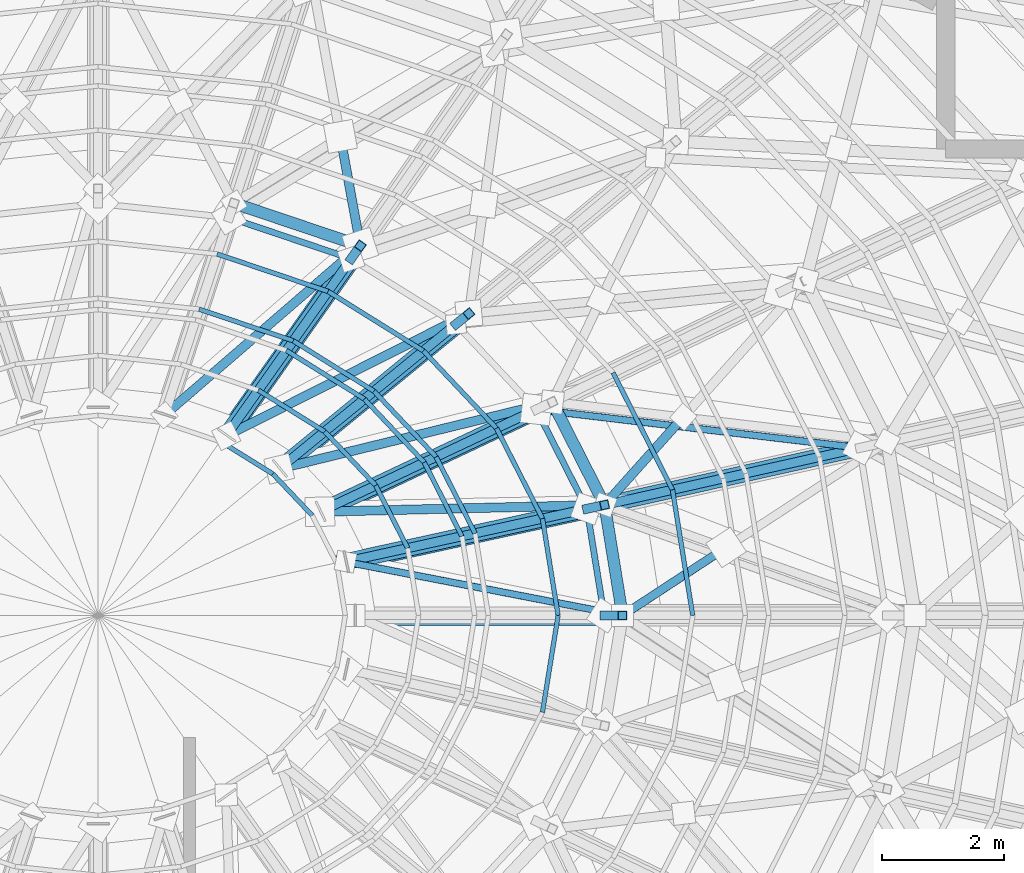
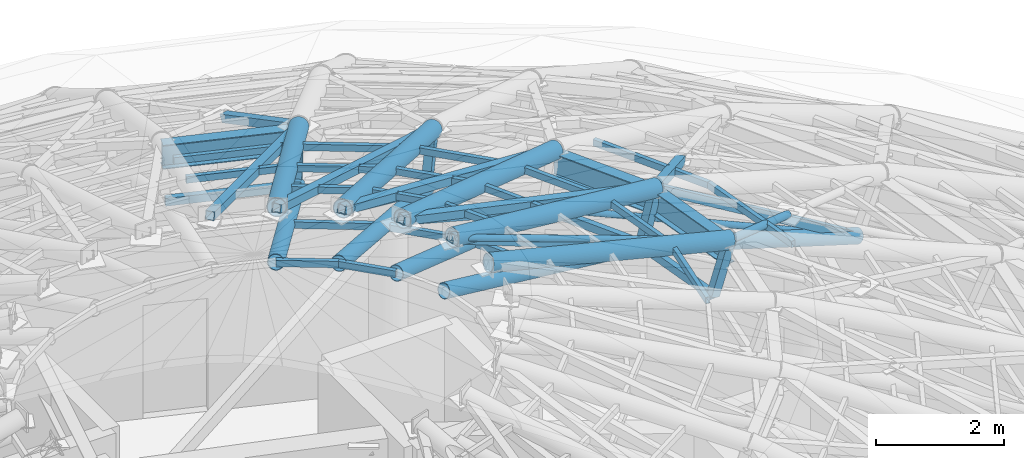
# One storey, part 21 of 50: 51 members, 3 beams.
"""IFC4 building model written with IfcOpenShell, lengths in metres."""

from ifc_helpers import new_model, si_unit, direction, frame, origin, origin_2d, place, context, subcontext, project, spatial, hollow_rectangle, hollow_circle, i_section, extrude, material, material_profile, profile_set, type_object, element, save


model = new_model("IFC4")

# Units and contexts
model_context = context("Model", 3, precision=1e-05, world=origin(), true_north=direction((0.0, 1.0)))
body_context = subcontext(model_context, "Body", "Model", "MODEL_VIEW")
ifc_project = project(units=[si_unit("LENGTHUNIT", "METRE"), si_unit("AREAUNIT", "SQUARE_METRE"), si_unit("VOLUMEUNIT", "CUBIC_METRE"), si_unit("PLANEANGLEUNIT", "RADIAN"), si_unit("MASSUNIT", "GRAM", prefix="KILO")], contexts=[model_context])

# Site, building, storey
site_placement = place(None, origin())
site = spatial("IfcSite", under=ifc_project, at=site_placement, CompositionType="ELEMENT")
building_placement = place(site_placement, origin())
building = spatial("IfcBuilding", under=site, at=building_placement, Name="Cinderbank Siding Concert Hall", CompositionType="ELEMENT")
storey_placement = place(building_placement, frame((0.0, 0.0, 23.699951171875)))
storey = spatial("IfcBuildingStorey", under=building, at=storey_placement, Name="L06", CompositionType="ELEMENT", Elevation=23.699951171875)

# Beams
ifc_material_1 = material(Name="Structural steel AS/NZS 3679.1 Grade 350 (340 MPa)", Category="steel")
ifc_material_profile_1 = material_profile(ifc_material_1, i_section(OverallWidth=0.19091796875, OverallDepth=0.46044921875, WebThickness=0.010009765625, FlangeThickness=0.01611328125, at=origin_2d()), Name="460UB82.1", Category="LoadBearing")
ifc_profile_set_1 = profile_set([ifc_material_profile_1], Name="Structural steel AS/NZS 3679.1 Grade 350 (340 MPa)")
beam_type = type_object("IfcBeamType", Name="BM-UB460H 460UB82.1", PredefinedType="BEAM", material=ifc_profile_set_1)
beam_1_placement = place(storey_placement, frame((130.60009765625, 44.0, 15.769775390625), z_axis=(-0.159759377385, 0.987155986325, 0.0), x_axis=(-0.987155986325, -0.159759377385, 0.0)))
element("IfcBeam", 1, at=beam_1_placement, inside=storey, type_object=beam_type, Name="L06 Beam BM-UB460H #2094", PredefinedType="BEAM", context=body_context, shape_type="SweptSolid", body=[
    extrude(i_section(OverallWidth=0.19091796875, OverallDepth=0.46044921875, WebThickness=0.010009765625, FlangeThickness=0.01611328125, at=origin_2d()), origin(), (0.0, 0.0, 1.0), 1.83544921875),
])
beam_2_placement = place(storey_placement, frame((130.306884765625, 45.811767578125, 15.769775390625), z_axis=(-0.453543458503, 0.89123416185, 0.0), x_axis=(-0.89123416185, -0.453543458503, 0.0)))
element("IfcBeam", 2, at=beam_2_placement, inside=storey, type_object=beam_type, Name="L06 Beam BM-UB460H #2095", PredefinedType="BEAM", context=body_context, shape_type="SweptSolid", body=[
    extrude(i_section(OverallWidth=0.19091796875, OverallDepth=0.46044921875, WebThickness=0.010009765625, FlangeThickness=0.01611328125, at=origin_2d()), origin(), (0.0, 0.0, 1.0), 1.894287109375),
])
beam_3_placement = place(storey_placement, frame((126.300048828125, 50.062255859375, 15.769775390625), z_axis=(-0.947607117252, 0.319438180769, 0.0), x_axis=(-0.319438180769, -0.947607117252, 0.0)))
element("IfcBeam", 3, at=beam_3_placement, inside=storey, type_object=beam_type, Name="L06 Beam BM-UB460H #2096", PredefinedType="BEAM", context=body_context, shape_type="SweptSolid", body=[
    extrude(i_section(OverallWidth=0.19091796875, OverallDepth=0.46044921875, WebThickness=0.010009765625, FlangeThickness=0.01611328125, at=origin_2d()), origin(), (0.0, 0.0, 1.0), 2.18896484375),
])

# Members
ifc_material_2 = material(Name="Structural steel hollow section AS/NZS 1163 Grade C350L0 (350 MPa)", Category="steel")
ifc_material_profile_2 = material_profile(ifc_material_2, hollow_circle(Radius=0.05712890625, WallThickness=0.006103515625, at=origin_2d()), Name="114.3x6.0CHS", Category="LoadBearing")
ifc_profile_set_2 = profile_set([ifc_material_profile_2], Name="Structural steel hollow section AS/NZS 1163 Grade C350L0 (350 MPa)")
member_type_1 = type_object("IfcMemberType", Name="BR-CHS114 114.3x6.0CHS Roof Truss", PredefinedType="BRACE", material=ifc_profile_set_2)
member_1_placement = place(storey_placement, frame((134.490478515625, 46.747314453125, 13.050048828125), z_axis=(-0.929948888176, 0.110491096091, 0.350694714908), x_axis=(-0.117984297951, -0.993015460825, 0.0)))
element("IfcMember", 4, at=member_1_placement, inside=storey, type_object=member_type_1, Name="L06 Diagonal Brace BR-CHS114 #DBRI-BR-CHS114-L06-1415", PredefinedType="BRACE", context=body_context, shape_type="SweptSolid", body=[
    extrude(hollow_circle(Radius=0.05712890625, WallThickness=0.006103515625, at=origin_2d()), origin(), (0.0, 0.0, 1.0), 5.702880859375),
])
member_2_placement = place(storey_placement, frame((130.60009765625, 44.0, 16.0), z_axis=(-0.955139820182, 0.184981670801, 0.231278415269), x_axis=(-0.190136732743, -0.981757619202, 0.0)))
element("IfcMember", 5, at=member_2_placement, inside=storey, type_object=member_type_1, Name="L06 Diagonal Brace BR-CHS114 #DBRO-BR-CHS114-L06-1689", PredefinedType="BRACE", context=body_context, shape_type="SweptSolid", body=[
    extrude(hollow_circle(Radius=0.05712890625, WallThickness=0.006103515625, at=origin_2d()), origin(), (0.0, 0.0, 1.0), 4.756591796875),
])
ifc_material_profile_3 = material_profile(ifc_material_2, hollow_circle(Radius=0.06982421875, WallThickness=0.00634765625, at=origin_2d()), Name="139.7x6.4CHS", Category="LoadBearing")
ifc_profile_set_3 = profile_set([ifc_material_profile_3], Name="Structural steel hollow section AS/NZS 1163 Grade C350L0 (350 MPa)")
member_type_2 = type_object("IfcMemberType", Name="BR-CHS139 139.7x6.4CHS Roof Truss", PredefinedType="BRACE", material=ifc_profile_set_3)
member_3_placement = place(storey_placement, frame((132.277099609375, 45.09912109375, 15.227783203125), z_axis=(-0.780488897284, -0.511538945345, 0.359395309668), x_axis=(0.548164318998, -0.836370659084, 0.0)))
element("IfcMember", 6, at=member_3_placement, inside=storey, type_object=member_type_2, Name="L06 Diagonal Brace BR-CHS139 #DBRO-BR-CHS139-L06-1402-S129", PredefinedType="BRACE", context=body_context, shape_type="SweptSolid", body=[
    extrude(hollow_circle(Radius=0.06982421875, WallThickness=0.00634765625, at=origin_2d()), origin(), (0.0, 0.0, 1.0), 2.148681640625),
])
ifc_material_profile_4 = material_profile(ifc_material_2, hollow_rectangle(XDim=0.14990234375, YDim=0.14990234375, WallThickness=0.008056640625, at=origin_2d()), Name="150x150x8.0SHS", Category="LoadBearing")
ifc_profile_set_4 = profile_set([ifc_material_profile_4], Name="Structural steel hollow section AS/NZS 1163 Grade C350L0 (350 MPa)")
member_type_3 = type_object("IfcMemberType", Name="BR-SHS150 150x150x8.0SHS Roof Truss", PredefinedType="BRACE", material=ifc_profile_set_4)
member_4_placement = place(storey_placement, frame((134.490478515625, 46.747314453125, 13.050048828125), z_axis=(-0.803944085996, -0.179780213442, 0.566880041497), x_axis=(0.218232746795, -0.975896750802, 0.0)))
element("IfcMember", 7, at=member_4_placement, inside=storey, type_object=member_type_3, Name="L06 Diagonal Brace BR-SHS150 #DWBD-BR-SHS150-L06-1406", PredefinedType="BRACE", context=body_context, shape_type="SweptSolid", body=[
    extrude(hollow_rectangle(XDim=0.14990234375, YDim=0.14990234375, WallThickness=0.008056640625, at=origin_2d()), origin(), (0.0, 0.0, 1.0), 5.203857421875),
])
member_5_placement = place(storey_placement, frame((131.580078125, 47.235595703125, 15.22802734375), z_axis=(-0.61800772602, -0.691125802138, 0.374715326879), x_axis=(0.745438514971, -0.666574392245, 0.0)))
element("IfcMember", 8, at=member_5_placement, inside=storey, type_object=member_type_3, Name="L06 Diagonal Brace BR-SHS150 #DBRO-BR-SHS150-L06-1414-S130", PredefinedType="BRACE", context=body_context, shape_type="SweptSolid", body=[
    extrude(hollow_rectangle(XDim=0.14990234375, YDim=0.14990234375, WallThickness=0.008056640625, at=origin_2d()), origin(), (0.0, 0.0, 1.0), 2.06005859375),
])
member_6_placement = place(storey_placement, frame((125.977783203125, 51.82958984375, 15.225341796875), z_axis=(0.164725535954, -0.903369814222, 0.395965246654), x_axis=(0.983778457239, 0.17938770045, 0.0)))
element("IfcMember", 9, at=member_6_placement, inside=storey, type_object=member_type_3, Name="L06 Diagonal Brace BR-SHS150 #DBRO-BR-SHS150-L06-1450-S133", PredefinedType="BRACE", context=body_context, shape_type="SweptSolid", body=[
    extrude(hollow_rectangle(XDim=0.14990234375, YDim=0.14990234375, WallThickness=0.008056640625, at=origin_2d()), origin(), (0.0, 0.0, 1.0), 1.956298828125),
])
member_7_placement = place(storey_placement, frame((130.299072265625, 44.0, 15.050048828125), z_axis=(0.302080966604, 0.0, 0.953282271741), x_axis=(0.0, 1.0, 0.0)))
element("IfcMember", 10, at=member_7_placement, inside=storey, type_object=member_type_3, Name="L06 Diagonal Brace BR-SHS150 #DWBV-BR-SHS150-L06-1685", PredefinedType="BRACE", context=body_context, shape_type="SweptSolid", body=[
    extrude(hollow_rectangle(XDim=0.14990234375, YDim=0.14990234375, WallThickness=0.008056640625, at=origin_2d()), origin(), (0.0, 0.0, 1.0), 0.99658203125),
])
member_8_placement = place(storey_placement, frame((130.01611328125, 45.748291015625, 15.050048828125), z_axis=(-0.871638691427, -0.191183253709, 0.451325774922), x_axis=(0.214244713717, -0.976780017529, 0.0)))
element("IfcMember", 11, at=member_8_placement, inside=storey, type_object=member_type_3, Name="L06 Diagonal Brace BR-SHS150 #DWBD-BR-SHS150-L06-1692", PredefinedType="BRACE", context=body_context, shape_type="SweptSolid", body=[
    extrude(hollow_rectangle(XDim=0.14990234375, YDim=0.14990234375, WallThickness=0.008056640625, at=origin_2d()), origin(), (0.0, 0.0, 1.0), 4.542236328125),
])
member_9_placement = place(storey_placement, frame((130.01611328125, 45.748291015625, 15.050048828125), z_axis=(0.292091130576, 0.063764646473, 0.954262459337), x_axis=(-0.213280969958, 0.976990904693, 0.0)))
element("IfcMember", 12, at=member_9_placement, inside=storey, type_object=member_type_3, Name="L06 Diagonal Brace BR-SHS150 #DWBV-BR-SHS150-L06-1695", PredefinedType="BRACE", context=body_context, shape_type="SweptSolid", body=[
    extrude(hollow_rectangle(XDim=0.14990234375, YDim=0.14990234375, WallThickness=0.008056640625, at=origin_2d()), origin(), (0.0, 0.0, 1.0), 0.995361328125),
])
member_10_placement = place(storey_placement, frame((130.306884765625, 45.811767578125, 16.0), z_axis=(-0.973090129252, -0.023300845883, 0.229243693335), x_axis=(0.023938346527, -0.999713436724, 0.0)))
element("IfcMember", 13, at=member_10_placement, inside=storey, type_object=member_type_3, Name="L06 Diagonal Brace BR-SHS150 #DBRO-BR-SHS150-L06-1699", PredefinedType="BRACE", context=body_context, shape_type="SweptSolid", body=[
    extrude(hollow_rectangle(XDim=0.14990234375, YDim=0.14990234375, WallThickness=0.008056640625, at=origin_2d()), origin(), (0.0, 0.0, 1.0), 4.798828125),
])
member_11_placement = place(storey_placement, frame((129.18701171875, 47.37744140625, 15.050048828125), z_axis=(-0.801455569163, -0.378734609059, 0.462848859303), x_axis=(0.427254861709, -0.904131231153, 0.0)))
element("IfcMember", 14, at=member_11_placement, inside=storey, type_object=member_type_3, Name="L06 Diagonal Brace BR-SHS150 #DWBD-BR-SHS150-L06-1702", PredefinedType="BRACE", context=body_context, shape_type="SweptSolid", body=[
    extrude(hollow_rectangle(XDim=0.14990234375, YDim=0.14990234375, WallThickness=0.008056640625, at=origin_2d()), origin(), (0.0, 0.0, 1.0), 4.42919921875),
])
member_12_placement = place(storey_placement, frame((129.44775390625, 47.5, 16.0), z_axis=(-0.944817527573, -0.231182044692, 0.232109245406), x_axis=(0.237672958918, -0.971345234507, 0.0)))
element("IfcMember", 15, at=member_12_placement, inside=storey, type_object=member_type_3, Name="L06 Diagonal Brace BR-SHS150 #DBRO-BR-SHS150-L06-1709", PredefinedType="BRACE", context=body_context, shape_type="SweptSolid", body=[
    extrude(hollow_rectangle(XDim=0.14990234375, YDim=0.14990234375, WallThickness=0.008056640625, at=origin_2d()), origin(), (0.0, 0.0, 1.0), 4.739501953125),
])
member_13_placement = place(storey_placement, frame((127.868408203125, 48.776611328125, 15.050048828125), z_axis=(-0.67884757642, -0.555576678184, 0.480104699672), x_axis=(0.633344264796, -0.773870171444, 0.0)))
element("IfcMember", 16, at=member_13_placement, inside=storey, type_object=member_type_3, Name="L06 Diagonal Brace BR-SHS150 #DWBD-BR-SHS150-L06-1712", PredefinedType="BRACE", context=body_context, shape_type="SweptSolid", body=[
    extrude(hollow_rectangle(XDim=0.14990234375, YDim=0.14990234375, WallThickness=0.008056640625, at=origin_2d()), origin(), (0.0, 0.0, 1.0), 4.27001953125),
])
member_14_placement = place(storey_placement, frame((127.868408203125, 48.776611328125, 15.050048828125), z_axis=(0.215070231721, 0.175068650161, 0.96077872747), x_axis=(-0.631296308496, 0.775541727362, 0.0)))
element("IfcMember", 17, at=member_14_placement, inside=storey, type_object=member_type_3, Name="L06 Diagonal Brace BR-SHS150 #DWBV-BR-SHS150-L06-1715", PredefinedType="BRACE", context=body_context, shape_type="SweptSolid", body=[
    extrude(hollow_rectangle(XDim=0.14990234375, YDim=0.14990234375, WallThickness=0.008056640625, at=origin_2d()), origin(), (0.0, 0.0, 1.0), 0.98876953125),
])
member_15_placement = place(storey_placement, frame((128.0810546875, 48.94970703125, 16.0), z_axis=(-0.867091401896, -0.436736273995, 0.239612035873), x_axis=(0.449840709475, -0.893108804177, 0.0)))
element("IfcMember", 18, at=member_15_placement, inside=storey, type_object=member_type_3, Name="L06 Diagonal Brace BR-SHS150 #DBRO-BR-SHS150-L06-1719", PredefinedType="BRACE", context=body_context, shape_type="SweptSolid", body=[
    extrude(hollow_rectangle(XDim=0.14990234375, YDim=0.14990234375, WallThickness=0.008056640625, at=origin_2d()), origin(), (0.0, 0.0, 1.0), 4.591064453125),
])
member_16_placement = place(storey_placement, frame((126.1494140625, 49.85009765625, 15.050048828125), z_axis=(-0.499322174283, -0.707938193489, 0.4995006311), x_axis=(0.817184743141, -0.576375828412, 0.0)))
element("IfcMember", 19, at=member_16_placement, inside=storey, type_object=member_type_3, Name="L06 Diagonal Brace BR-SHS150 #DWBD-BR-SHS150-L06-1722", PredefinedType="BRACE", context=body_context, shape_type="SweptSolid", body=[
    extrude(hollow_rectangle(XDim=0.14990234375, YDim=0.14990234375, WallThickness=0.008056640625, at=origin_2d()), origin(), (0.0, 0.0, 1.0), 4.104248046875),
])
member_17_placement = place(storey_placement, frame((126.1494140625, 49.85009765625, 15.050048828125), z_axis=(0.152937825972, 0.215401897519, 0.964475009491), x_axis=(-0.815378555439, 0.578928157314, 0.0)))
element("IfcMember", 20, at=member_17_placement, inside=storey, type_object=member_type_3, Name="L06 Diagonal Brace BR-SHS150 #DWBV-BR-SHS150-L06-1725", PredefinedType="BRACE", context=body_context, shape_type="SweptSolid", body=[
    extrude(hollow_rectangle(XDim=0.14990234375, YDim=0.14990234375, WallThickness=0.008056640625, at=origin_2d()), origin(), (0.0, 0.0, 1.0), 0.98486328125),
])
member_18_placement = place(storey_placement, frame((126.300048828125, 50.062255859375, 16.0), z_axis=(-0.732300351823, -0.633146850801, 0.250721479015), x_axis=(0.654037282523, -0.756462314376, 0.0)))
element("IfcMember", 21, at=member_18_placement, inside=storey, type_object=member_type_3, Name="L06 Diagonal Brace BR-SHS150 #DBRO-BR-SHS150-L06-1729", PredefinedType="BRACE", context=body_context, shape_type="SweptSolid", body=[
    extrude(hollow_rectangle(XDim=0.14990234375, YDim=0.14990234375, WallThickness=0.008056640625, at=origin_2d()), origin(), (0.0, 0.0, 1.0), 4.3876953125),
])
ifc_material_profile_5 = material_profile(ifc_material_2, hollow_circle(Radius=0.136474609375, WallThickness=0.00927734375, at=origin_2d()), Name="273.1x9.3CHS", Category="LoadBearing")
ifc_profile_set_5 = profile_set([ifc_material_profile_5], Name="Structural steel hollow section AS/NZS 1163 Grade C350L0 (350 MPa)")
member_type_4 = type_object("IfcMemberType", Name="DR-CHS273 273.1x9.3CHS Roof Truss", PredefinedType="RAFTER", material=ifc_profile_set_5)
member_19_placement = place(storey_placement, frame((134.490478515625, 46.747314453125, 13.050048828125), z_axis=(-0.894551208045, -0.199732828249, 0.399856141011), x_axis=(0.217911457285, -0.975968542927, 0.0)))
element("IfcMember", 22, at=member_19_placement, inside=storey, type_object=member_type_4, Name="L06 Roof Truss Member DR-CHS273 #1405", PredefinedType="RAFTER", context=body_context, shape_type="SweptSolid", body=[
    extrude(hollow_circle(Radius=0.136474609375, WallThickness=0.00927734375, at=origin_2d()), origin(), (0.0, 0.0, 1.0), 5.001708984375),
])
member_20_placement = place(storey_placement, frame((130.01611328125, 45.748291015625, 15.050048828125), z_axis=(-0.944905566879, -0.207160378762, 0.253452258132), x_axis=(0.214152922142, -0.976800146365, 0.0)))
element("IfcMember", 23, at=member_20_placement, inside=storey, type_object=member_type_4, Name="L06 Roof Truss Member DR-CHS273 #1691", PredefinedType="RAFTER", context=body_context, shape_type="SweptSolid", body=[
    extrude(hollow_circle(Radius=0.136474609375, WallThickness=0.00927734375, at=origin_2d()), origin(), (0.0, 0.0, 1.0), 4.34033203125),
])
member_21_placement = place(storey_placement, frame((129.18701171875, 47.37744140625, 15.050048828125), z_axis=(-0.872810404073, -0.412326274815, 0.261130315434), x_axis=(0.427146747319, -0.904182313615, 0.0)))
element("IfcMember", 24, at=member_21_placement, inside=storey, type_object=member_type_4, Name="L06 Roof Truss Member DR-CHS273 #1701", PredefinedType="RAFTER", context=body_context, shape_type="SweptSolid", body=[
    extrude(hollow_circle(Radius=0.136474609375, WallThickness=0.00927734375, at=origin_2d()), origin(), (0.0, 0.0, 1.0), 4.212890625),
])
member_22_placement = place(storey_placement, frame((127.868408203125, 48.776611328125, 15.050048828125), z_axis=(-0.744597053616, -0.60921577114, 0.272821135436), x_axis=(0.633237790257, -0.773957299203, 0.0)))
element("IfcMember", 25, at=member_22_placement, inside=storey, type_object=member_type_4, Name="L06 Roof Truss Member DR-CHS273 #1711", PredefinedType="RAFTER", context=body_context, shape_type="SweptSolid", body=[
    extrude(hollow_circle(Radius=0.136474609375, WallThickness=0.00927734375, at=origin_2d()), origin(), (0.0, 0.0, 1.0), 4.0322265625),
])
member_23_placement = place(storey_placement, frame((126.1494140625, 49.85009765625, 15.050048828125), z_axis=(-0.552369154655, -0.782909426334, 0.286253641274), x_axis=(0.817101975754, -0.576493157999, 0.0)))
element("IfcMember", 26, at=member_23_placement, inside=storey, type_object=member_type_4, Name="L06 Roof Truss Member DR-CHS273 #1721", PredefinedType="RAFTER", context=body_context, shape_type="SweptSolid", body=[
    extrude(hollow_circle(Radius=0.136474609375, WallThickness=0.00927734375, at=origin_2d()), origin(), (0.0, 0.0, 1.0), 3.843017578125),
])
ifc_material_profile_6 = material_profile(ifc_material_2, hollow_circle(Radius=0.161865234375, WallThickness=0.0126953125, at=origin_2d()), Name="323.9x12.7CHS", Category="LoadBearing")
ifc_profile_set_6 = profile_set([ifc_material_profile_6], Name="Structural steel hollow section AS/NZS 1163 Grade C350L0 (350 MPa)")
member_type_5 = type_object("IfcMemberType", Name="DR-CHS323 323.9x12.7CHS Roof Truss", PredefinedType="RAFTER", material=ifc_profile_set_6)
member_24_placement = place(storey_placement, frame((130.60009765625, 44.0, 16.0), z_axis=(-0.970142500145, 0.0, 0.242535625036), x_axis=(0.0, -1.0, 0.0)))
element("IfcMember", 27, at=member_24_placement, inside=storey, type_object=member_type_5, Name="L06 Roof Truss Member DR-CHS323 #1680", PredefinedType="RAFTER", context=body_context, shape_type="SweptSolid", body=[
    extrude(hollow_circle(Radius=0.161865234375, WallThickness=0.0126953125, at=origin_2d()), origin(), (0.0, 0.0, 1.0), 4.503662109375),
])
member_25_placement = place(storey_placement, frame((130.306884765625, 45.811767578125, 16.0), z_axis=(-0.947001175826, -0.207601681046, 0.245133259699), x_axis=(0.214135071865, -0.976804059675, 0.0)))
element("IfcMember", 28, at=member_25_placement, inside=storey, type_object=member_type_5, Name="L06 Roof Truss Member DR-CHS323 #1690", PredefinedType="RAFTER", context=body_context, shape_type="SweptSolid", body=[
    extrude(hollow_circle(Radius=0.161865234375, WallThickness=0.0126953125, at=origin_2d()), origin(), (0.0, 0.0, 1.0), 4.455810546875),
])
member_26_placement = place(storey_placement, frame((129.44775390625, 47.5, 16.0), z_axis=(-0.874866085469, -0.413292769609, 0.252583489337), x_axis=(0.427142831717, -0.904184163383, 0.0)))
element("IfcMember", 29, at=member_26_placement, inside=storey, type_object=member_type_5, Name="L06 Roof Truss Member DR-CHS323 #1700", PredefinedType="RAFTER", context=body_context, shape_type="SweptSolid", body=[
    extrude(hollow_circle(Radius=0.161865234375, WallThickness=0.0126953125, at=origin_2d()), origin(), (0.0, 0.0, 1.0), 4.323486328125),
])
member_27_placement = place(storey_placement, frame((128.0810546875, 48.94970703125, 16.0), z_axis=(-0.746506757945, -0.61079435588, 0.26392785978), x_axis=(0.633247788404, -0.773949118794, 0.0)))
element("IfcMember", 30, at=member_27_placement, inside=storey, type_object=member_type_5, Name="L06 Roof Truss Member DR-CHS323 #1710", PredefinedType="RAFTER", context=body_context, shape_type="SweptSolid", body=[
    extrude(hollow_circle(Radius=0.161865234375, WallThickness=0.0126953125, at=origin_2d()), origin(), (0.0, 0.0, 1.0), 4.1357421875),
])
member_28_placement = place(storey_placement, frame((126.300048828125, 50.062255859375, 16.0), z_axis=(-0.553994203108, -0.785098843827, 0.276966114072), x_axis=(0.817062588556, -0.576548980037, 0.0)))
element("IfcMember", 31, at=member_28_placement, inside=storey, type_object=member_type_5, Name="L06 Roof Truss Member DR-CHS323 #1720", PredefinedType="RAFTER", context=body_context, shape_type="SweptSolid", body=[
    extrude(hollow_circle(Radius=0.161865234375, WallThickness=0.0126953125, at=origin_2d()), origin(), (0.0, 0.0, 1.0), 3.939453125),
])
ifc_material_profile_7 = material_profile(ifc_material_2, hollow_rectangle(XDim=0.074951171875, YDim=0.125, WallThickness=0.0048828125, at=origin_2d()), Name="125x75x5.0RHS", Category="LoadBearing")
ifc_profile_set_7 = profile_set([ifc_material_profile_7], Name="Structural steel hollow section AS/NZS 1163 Grade C350L0 (350 MPa)")
member_type_6 = type_object("IfcMemberType", Name="PR-RHS125 125x75x5.0RHS Roof Truss", PredefinedType="PURLIN", material=ifc_profile_set_7)
member_29_placement = place(storey_placement, frame((131.751953125, 44.0, 15.52001953125), z_axis=(-0.159217726592, 0.987243493541, 0.0), x_axis=(-0.987243493541, -0.159217726592, 0.0)))
element("IfcMember", 32, at=member_29_placement, inside=storey, type_object=member_type_6, Name="L06 Roof Truss Member PR-RHS125 #1400", PredefinedType="PURLIN", context=body_context, shape_type="SweptSolid", body=[
    extrude(hollow_rectangle(XDim=0.074951171875, YDim=0.125, WallThickness=0.0048828125, at=origin_2d()), origin(), (0.0, 0.0, 1.0), 2.0869140625),
])
member_30_placement = place(storey_placement, frame((131.419677734375, 46.060302734375, 15.52001953125), z_axis=(-0.452513397216, 0.891757604588, 0.0), x_axis=(-0.891757604588, -0.452513397216, 0.0)))
element("IfcMember", 33, at=member_30_placement, inside=storey, type_object=member_type_6, Name="L06 Roof Truss Member PR-RHS125 #1412", PredefinedType="PURLIN", context=body_context, shape_type="SweptSolid", body=[
    extrude(hollow_rectangle(XDim=0.074951171875, YDim=0.125, WallThickness=0.0048828125, at=origin_2d()), origin(), (0.0, 0.0, 1.0), 2.152587890625),
])
member_31_placement = place(storey_placement, frame((129.5439453125, 44.0, 16.26416015625), z_axis=(-0.159647522591, 0.987174082181, 0.0), x_axis=(-0.987174082181, -0.159647522591, 0.0)))
element("IfcMember", 34, at=member_31_placement, inside=storey, type_object=member_type_6, Name="L06 Roof Truss Member PR-RHS125 #1686", PredefinedType="PURLIN", context=body_context, shape_type="SweptSolid", body=[
    extrude(hollow_rectangle(XDim=0.074951171875, YDim=0.125, WallThickness=0.0048828125, at=origin_2d()), origin(), (0.0, 0.0, 1.0), 1.60888671875),
])
member_32_placement = place(storey_placement, frame((127.965576171875, 45.298583984375, 15.60009765625), z_axis=(-0.454243375315, 0.890877632441, 0.0), x_axis=(-0.890877632441, -0.454243375315, 0.0)))
element("IfcMember", 35, at=member_32_placement, inside=storey, type_object=member_type_6, Name="L06 Roof Truss Member PR-RHS125 #1694", PredefinedType="PURLIN", context=body_context, shape_type="SweptSolid", body=[
    extrude(hollow_rectangle(XDim=0.074951171875, YDim=0.125, WallThickness=0.0048828125, at=origin_2d()), origin(), (0.0, 0.0, 1.0), 1.358642578125),
])
member_33_placement = place(storey_placement, frame((129.287109375, 45.588134765625, 16.26416015625), z_axis=(-0.453903761928, 0.891050713993, 0.0), x_axis=(-0.891050713993, -0.453903761928, 0.0)))
element("IfcMember", 36, at=member_33_placement, inside=storey, type_object=member_type_6, Name="L06 Roof Truss Member PR-RHS125 #1696", PredefinedType="PURLIN", context=body_context, shape_type="SweptSolid", body=[
    extrude(hollow_rectangle(XDim=0.074951171875, YDim=0.125, WallThickness=0.0048828125, at=origin_2d()), origin(), (0.0, 0.0, 1.0), 1.660888671875),
])
member_34_placement = place(storey_placement, frame((128.181884765625, 45.345703125, 16.550048828125), z_axis=(-0.454136172601, 0.890932285157, 0.0), x_axis=(-0.890932285157, -0.454136172601, 0.0)))
element("IfcMember", 37, at=member_34_placement, inside=storey, type_object=member_type_6, Name="L06 Roof Truss Member PR-RHS125 #1697", PredefinedType="PURLIN", context=body_context, shape_type="SweptSolid", body=[
    extrude(hollow_rectangle(XDim=0.074951171875, YDim=0.125, WallThickness=0.0048828125, at=origin_2d()), origin(), (0.0, 0.0, 1.0), 1.407958984375),
])
member_35_placement = place(storey_placement, frame((127.076904296875, 45.103515625, 16.8359375), z_axis=(-0.454723641281, 0.890632589826, 0.0), x_axis=(-0.890632589826, -0.454723641281, 0.0)))
element("IfcMember", 38, at=member_35_placement, inside=storey, type_object=member_type_6, Name="L06 Roof Truss Member PR-RHS125 #1698", PredefinedType="PURLIN", context=body_context, shape_type="SweptSolid", body=[
    extrude(hollow_rectangle(XDim=0.074951171875, YDim=0.125, WallThickness=0.0048828125, at=origin_2d()), origin(), (0.0, 0.0, 1.0), 1.15478515625),
])
member_36_placement = place(storey_placement, frame((125.510009765625, 45.640380859375, 16.150146484375), z_axis=(-0.687816964948, 0.725884166193, 0.0), x_axis=(-0.725884166193, -0.687816964948, 0.0)))
element("IfcMember", 39, at=member_36_placement, inside=storey, type_object=member_type_6, Name="L06 Roof Truss Member PR-RHS125 #1703", PredefinedType="PURLIN", context=body_context, shape_type="SweptSolid", body=[
    extrude(hollow_rectangle(XDim=0.074951171875, YDim=0.125, WallThickness=0.0048828125, at=origin_2d()), origin(), (0.0, 0.0, 1.0), 0.936279296875),
])
member_37_placement = place(storey_placement, frame((127.348388671875, 46.509033203125, 15.60009765625), z_axis=(-0.686573368621, 0.727060526711, 0.0), x_axis=(-0.727060526711, -0.686573368621, 0.0)))
element("IfcMember", 40, at=member_37_placement, inside=storey, type_object=member_type_6, Name="L06 Roof Truss Member PR-RHS125 #1704", PredefinedType="PURLIN", context=body_context, shape_type="SweptSolid", body=[
    extrude(hollow_rectangle(XDim=0.074951171875, YDim=0.125, WallThickness=0.0048828125, at=origin_2d()), origin(), (0.0, 0.0, 1.0), 1.42919921875),
])
member_38_placement = place(storey_placement, frame((128.533203125, 47.068115234375, 16.26416015625), z_axis=(-0.686192522958, 0.727419975967, 0.0), x_axis=(-0.727419975967, -0.686192522958, 0.0)))
element("IfcMember", 41, at=member_38_placement, inside=storey, type_object=member_type_6, Name="L06 Roof Truss Member PR-RHS125 #1706", PredefinedType="PURLIN", context=body_context, shape_type="SweptSolid", body=[
    extrude(hollow_rectangle(XDim=0.074951171875, YDim=0.125, WallThickness=0.0048828125, at=origin_2d()), origin(), (0.0, 0.0, 1.0), 1.746826171875),
])
member_39_placement = place(storey_placement, frame((127.54248046875, 46.60009765625, 16.550048828125), z_axis=(-0.686628372605, 0.727008581747, 0.0), x_axis=(-0.727008581747, -0.686628372605, 0.0)))
element("IfcMember", 42, at=member_39_placement, inside=storey, type_object=member_type_6, Name="L06 Roof Truss Member PR-RHS125 #1707", PredefinedType="PURLIN", context=body_context, shape_type="SweptSolid", body=[
    extrude(hollow_rectangle(XDim=0.074951171875, YDim=0.125, WallThickness=0.0048828125, at=origin_2d()), origin(), (0.0, 0.0, 1.0), 1.481201171875),
])
member_40_placement = place(storey_placement, frame((126.5517578125, 46.132080078125, 16.8359375), z_axis=(-0.687148281608, 0.726517198064, 0.0), x_axis=(-0.726517198064, -0.687148281608, 0.0)))
element("IfcMember", 43, at=member_40_placement, inside=storey, type_object=member_type_6, Name="L06 Roof Truss Member PR-RHS125 #1708", PredefinedType="PURLIN", context=body_context, shape_type="SweptSolid", body=[
    extrude(hollow_rectangle(XDim=0.074951171875, YDim=0.125, WallThickness=0.0048828125, at=origin_2d()), origin(), (0.0, 0.0, 1.0), 1.215576171875),
])
member_41_placement = place(storey_placement, frame((124.865966796875, 46.320068359375, 16.150146484375), z_axis=(-0.849521792441, 0.527553527301, 0.0), x_axis=(-0.527553527301, -0.849521792441, 0.0)))
element("IfcMember", 44, at=member_41_placement, inside=storey, type_object=member_type_6, Name="L06 Roof Truss Member PR-RHS125 #1713", PredefinedType="PURLIN", context=body_context, shape_type="SweptSolid", body=[
    extrude(hollow_rectangle(XDim=0.074951171875, YDim=0.125, WallThickness=0.0048828125, at=origin_2d()), origin(), (0.0, 0.0, 1.0), 0.988037109375),
])
member_42_placement = place(storey_placement, frame((126.3671875, 47.548095703125, 15.60009765625), z_axis=(-0.848580058355, 0.529066994398, 0.0), x_axis=(-0.529066994398, -0.848580058355, 0.0)))
element("IfcMember", 45, at=member_42_placement, inside=storey, type_object=member_type_6, Name="L06 Roof Truss Member PR-RHS125 #1714", PredefinedType="PURLIN", context=body_context, shape_type="SweptSolid", body=[
    extrude(hollow_rectangle(XDim=0.074951171875, YDim=0.125, WallThickness=0.0048828125, at=origin_2d()), origin(), (0.0, 0.0, 1.0), 1.507568359375),
])
member_43_placement = place(storey_placement, frame((127.33447265625, 48.3388671875, 16.26416015625), z_axis=(-0.848355564327, 0.529426894363, 0.0), x_axis=(-0.529426894363, -0.848355564327, 0.0)))
element("IfcMember", 46, at=member_43_placement, inside=storey, type_object=member_type_6, Name="L06 Roof Truss Member PR-RHS125 #1716", PredefinedType="PURLIN", context=body_context, shape_type="SweptSolid", body=[
    extrude(hollow_rectangle(XDim=0.074951171875, YDim=0.125, WallThickness=0.0048828125, at=origin_2d()), origin(), (0.0, 0.0, 1.0), 1.841796875),
])
member_44_placement = place(storey_placement, frame((126.525390625, 47.677001953125, 16.550048828125), z_axis=(-0.848568581374, 0.529085402091, 0.0), x_axis=(-0.529085402091, -0.848568581374, 0.0)))
element("IfcMember", 47, at=member_44_placement, inside=storey, type_object=member_type_6, Name="L06 Roof Truss Member PR-RHS125 #1717", PredefinedType="PURLIN", context=body_context, shape_type="SweptSolid", body=[
    extrude(hollow_rectangle(XDim=0.074951171875, YDim=0.125, WallThickness=0.0048828125, at=origin_2d()), origin(), (0.0, 0.0, 1.0), 1.56201171875),
])
member_45_placement = place(storey_placement, frame((125.716552734375, 47.01513671875, 16.8359375), z_axis=(-0.849012948189, 0.528372041091, 0.0), x_axis=(-0.528372041091, -0.849012948189, 0.0)))
element("IfcMember", 48, at=member_45_placement, inside=storey, type_object=member_type_6, Name="L06 Roof Truss Member PR-RHS125 #1718", PredefinedType="PURLIN", context=body_context, shape_type="SweptSolid", body=[
    extrude(hollow_rectangle(XDim=0.074951171875, YDim=0.125, WallThickness=0.0048828125, at=origin_2d()), origin(), (0.0, 0.0, 1.0), 1.2822265625),
])
member_46_placement = place(storey_placement, frame((125.77197265625, 49.31396484375, 16.26416015625), z_axis=(-0.947661176794, 0.319277769345, 0.0), x_axis=(-0.319277769345, -0.947661176794, 0.0)))
element("IfcMember", 49, at=member_46_placement, inside=storey, type_object=member_type_6, Name="L06 Roof Truss Member PR-RHS125 #1726", PredefinedType="PURLIN", context=body_context, shape_type="SweptSolid", body=[
    extrude(hollow_rectangle(XDim=0.074951171875, YDim=0.125, WallThickness=0.0048828125, at=origin_2d()), origin(), (0.0, 0.0, 1.0), 1.920166015625),
])
member_47_placement = place(storey_placement, frame((125.199951171875, 48.50341796875, 16.550048828125), z_axis=(-0.947795058073, 0.318880115236, 0.0), x_axis=(-0.318880115236, -0.947795058073, 0.0)))
element("IfcMember", 50, at=member_47_placement, inside=storey, type_object=member_type_6, Name="L06 Roof Truss Member PR-RHS125 #1727", PredefinedType="PURLIN", context=body_context, shape_type="SweptSolid", body=[
    extrude(hollow_rectangle(XDim=0.074951171875, YDim=0.125, WallThickness=0.0048828125, at=origin_2d()), origin(), (0.0, 0.0, 1.0), 1.62841796875),
])
member_48_placement = place(storey_placement, frame((129.287109375, 42.411865234375, 16.26416015625), z_axis=(0.159647522591, 0.987174082181, 0.0), x_axis=(-0.987174082181, 0.159647522591, 0.0)))
element("IfcMember", 51, at=member_48_placement, inside=storey, type_object=member_type_6, Name="L06 Roof Truss Member PR-RHS125 #1916", PredefinedType="PURLIN", context=body_context, shape_type="SweptSolid", body=[
    extrude(hollow_rectangle(XDim=0.074951171875, YDim=0.125, WallThickness=0.0048828125, at=origin_2d()), origin(), (0.0, 0.0, 1.0), 1.60888671875),
])
ifc_material_profile_8 = material_profile(ifc_material_2, hollow_rectangle(XDim=0.10009765625, YDim=0.14990234375, WallThickness=0.006103515625, at=origin_2d()), Name="150x100x6.0RHS", Category="LoadBearing")
ifc_profile_set_8 = profile_set([ifc_material_profile_8], Name="Structural steel hollow section AS/NZS 1163 Grade C350L0 (350 MPa)")
member_type_7 = type_object("IfcMemberType", Name="PR-RHS150 150x100x6.0RHS Roof Truss", PredefinedType="PURLIN", material=ifc_profile_set_8)
member_49_placement = place(storey_placement, frame((130.299072265625, 44.0, 15.050048828125), z_axis=(-0.159769840186, 0.987154292989, 0.0), x_axis=(-0.987154292989, -0.159769840186, 0.0)))
element("IfcMember", 52, at=member_49_placement, inside=storey, type_object=member_type_7, Name="L06 Roof Truss Member PR-RHS150 #1395", PredefinedType="PURLIN", context=body_context, shape_type="SweptSolid", body=[
    extrude(hollow_rectangle(XDim=0.10009765625, YDim=0.14990234375, WallThickness=0.006103515625, at=origin_2d()), origin(), (0.0, 0.0, 1.0), 1.77099609375),
])
member_50_placement = place(storey_placement, frame((130.01611328125, 45.748291015625, 15.050048828125), z_axis=(-0.453559612669, 0.891225940913, 0.0), x_axis=(-0.891225940913, -0.453559612669, 0.0)))
element("IfcMember", 53, at=member_50_placement, inside=storey, type_object=member_type_7, Name="L06 Roof Truss Member PR-RHS150 #1407", PredefinedType="PURLIN", context=body_context, shape_type="SweptSolid", body=[
    extrude(hollow_rectangle(XDim=0.10009765625, YDim=0.14990234375, WallThickness=0.006103515625, at=origin_2d()), origin(), (0.0, 0.0, 1.0), 1.827880859375),
])
member_51_placement = place(storey_placement, frame((126.1494140625, 49.85009765625, 15.050048828125), z_axis=(-0.94759117017, 0.319485483575, 0.0), x_axis=(-0.319485483575, -0.94759117017, 0.0)))
element("IfcMember", 54, at=member_51_placement, inside=storey, type_object=member_type_7, Name="L06 Roof Truss Member PR-RHS150 #1443", PredefinedType="PURLIN", context=body_context, shape_type="SweptSolid", body=[
    extrude(hollow_rectangle(XDim=0.10009765625, YDim=0.14990234375, WallThickness=0.006103515625, at=origin_2d()), origin(), (0.0, 0.0, 1.0), 2.112060546875),
])

save(model, "model.ifc")
